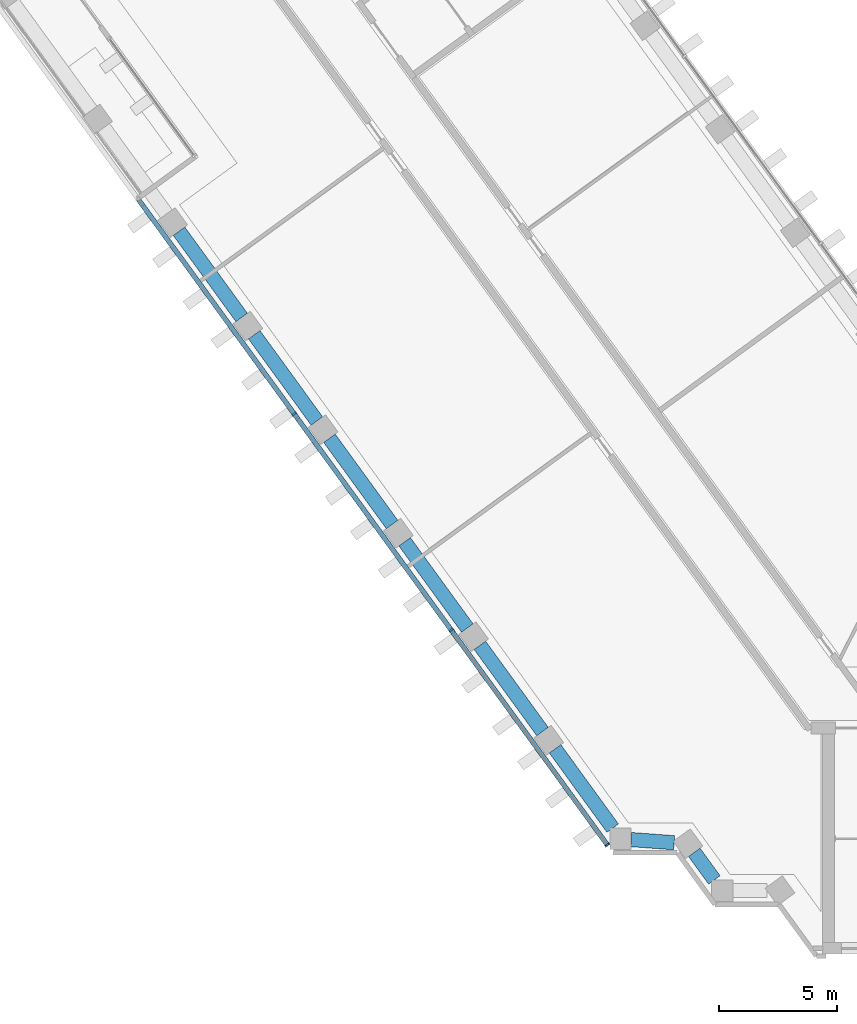
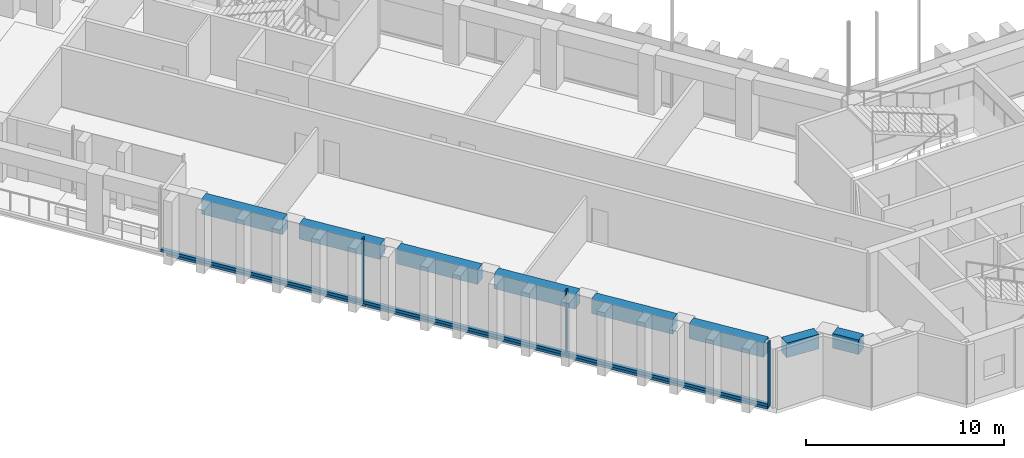
"""IFC4 building model written with IfcOpenShell, lengths in metres."""

from ifc_helpers import new_model, si_unit, direction, frame, origin, origin_2d, place, context, subcontext, project, spatial, rectangle, extrude, material, material_profile, profile_set, type_object, element, aggregate, save


model = new_model("IFC4")

# Units and contexts
model_context = context("Model", 3, precision=1e-05, world=origin(), true_north=direction((0.0, 1.0)))
body_context = subcontext(model_context, "Body", "Model", "MODEL_VIEW")
ifc_project = project(units=[si_unit("LENGTHUNIT", "METRE"), si_unit("AREAUNIT", "SQUARE_METRE"), si_unit("VOLUMEUNIT", "CUBIC_METRE"), si_unit("PLANEANGLEUNIT", "RADIAN"), si_unit("MASSUNIT", "GRAM", prefix="KILO")], contexts=[model_context])

# Site, building, storey
site_placement = place(None, origin())
site = spatial("IfcSite", under=ifc_project, at=site_placement, CompositionType="ELEMENT")
building_placement = place(site_placement, origin())
building = spatial("IfcBuilding", under=site, at=building_placement, Name="Quipu Civic Tower", CompositionType="ELEMENT")
storey_1_placement = place(building_placement, frame((0.0, 0.0, 35.0)))
storey_1 = spatial("IfcBuildingStorey", under=building, at=storey_1_placement, Name="L07", CompositionType="ELEMENT", Elevation=35.0)

# Curtain wall, members
ifc_material_1 = material(Name="Insulated glass unit", Category="glass")
curtain_wall_type = type_object("IfcCurtainWallType", Name="Office curtain wall CW1", PredefinedType="NOTDEFINED", material=ifc_material_1)
curtain_wall_1_placement = place(storey_1_placement, origin())
curtain_wall_1 = element("IfcCurtainWall", 1, at=curtain_wall_1_placement, inside=storey_1, type_object=curtain_wall_type, Name="Office curtain wall CW1 L07 run 7", PredefinedType="NOTDEFINED")
ifc_material_2 = material(Name="Anodised aluminium", Category="aluminium")
ifc_material_profile_1 = material_profile(ifc_material_2, rectangle(XDim=0.199951171875, YDim=0.080078125, at=origin_2d()), Name="RECT 200x80")
ifc_profile_set_1 = profile_set([ifc_material_profile_1], Name="Anodised aluminium")
member_type_1 = type_object("IfcMemberType", Name="Mullion CW1", PredefinedType="MULLION", material=ifc_profile_set_1)
member_1_placement = place(storey_1_placement, frame((-42.289306640625, 11.794189453125, 0.080078125), z_axis=(0.0, 0.0, 1.0), x_axis=(0.809016802453, 0.58778551645, 0.0)))
member_1 = element("IfcMember", 2, at=member_1_placement, type_object=member_type_1, Name="CW1 mullion 2", PredefinedType="MULLION", context=body_context, shape_type="SweptSolid", body=[
    extrude(rectangle(XDim=0.199951171875, YDim=0.080078125, at=origin_2d()), origin(), (0.0, 0.0, 1.0), 4.0),
])
member_2_placement = place(storey_1_placement, frame((-35.672607421875, 2.68701171875, 0.080078125), z_axis=(0.0, 0.0, 1.0), x_axis=(0.809016802453, 0.58778551645, 0.0)))
member_2 = element("IfcMember", 3, at=member_2_placement, type_object=member_type_1, Name="CW1 mullion 3", PredefinedType="MULLION", context=body_context, shape_type="SweptSolid", body=[
    extrude(rectangle(XDim=0.199951171875, YDim=0.080078125, at=origin_2d()), origin(), (0.0, 0.0, 1.0), 4.0),
])
member_3_placement = place(storey_1_placement, frame((-29.079345703125, -6.3876953125, 0.080078125), z_axis=(0.0, 0.0, 1.0), x_axis=(0.809016802453, 0.58778551645, 0.0)))
member_3 = element("IfcMember", 4, at=member_3_placement, type_object=member_type_1, Name="CW1 mullion 4", PredefinedType="MULLION", context=body_context, shape_type="SweptSolid", body=[
    extrude(rectangle(XDim=0.199951171875, YDim=0.080078125, at=origin_2d()), origin(), (0.0, 0.0, 1.0), 4.0),
])

# Beams
ifc_material_3 = material(Name="Concrete C50/60", Category="concrete")
ifc_material_profile_2 = material_profile(ifc_material_3, rectangle(XDim=0.60009765625, YDim=0.89990234375, at=origin_2d()), Name="RC600x900")
ifc_profile_set_2 = profile_set([ifc_material_profile_2], Name="Concrete C50/60")
beam_type = type_object("IfcBeamType", Name="Spandrel beam RC 600x900 C50/60", PredefinedType="SPANDREL", material=ifc_profile_set_2)
beam_1_placement = place(storey_1_placement, frame((-47.15380859375, 19.5107421875, 3.199951171875), z_axis=(0.587803872688, -0.809003465539, 0.0), x_axis=(0.809003465539, 0.587803872688, 0.0)))
element("IfcBeam", 5, at=beam_1_placement, inside=storey_1, type_object=beam_type, Name="Spandrel beam L07 W-OUT-06 to W-OUT-05", PredefinedType="SPANDREL", context=body_context, shape_type="SweptSolid", body=[
    extrude(rectangle(XDim=0.60009765625, YDim=0.89990234375, at=origin_2d()), origin(), (0.0, 0.0, 1.0), 4.499755859375),
])
for number, where, z_axis, x_axis, name in (
    (6, (-43.97998046875, 15.14208984375, 3.199951171875), (0.587778073121, -0.809022210299, 0.0), (0.809022210299, 0.587778073121, 0.0), "Spandrel beam L07 W-OUT-05 to W-OUT-04"),
    (7, (-40.805908203125, 10.7734375, 3.199951171875), (0.587778073121, -0.809022210299, 0.0), (0.809022210299, 0.587778073121, 0.0), "Spandrel beam L07 W-OUT-04 to W-OUT-03"),
):
    element("IfcBeam", number, at=place(storey_1_placement, frame(where, z_axis=z_axis, x_axis=x_axis)), inside=storey_1, type_object=beam_type, Name=name, PredefinedType="SPANDREL", context=body_context, shape_type="SweptSolid", body=[
        extrude(rectangle(XDim=0.60009765625, YDim=0.89990234375, at=origin_2d()), origin(), (0.0, 0.0, 1.0), 4.5),
    ])
beam_2_placement = place(storey_1_placement, frame((-37.6318359375, 6.404541015625, 3.199951171875), z_axis=(0.587803872688, -0.809003465539, 0.0), x_axis=(0.809003465539, 0.587803872688, 0.0)))
element("IfcBeam", 8, at=beam_2_placement, inside=storey_1, type_object=beam_type, Name="Spandrel beam L07 W-OUT-03 to W-OUT-02", PredefinedType="SPANDREL", context=body_context, shape_type="SweptSolid", body=[
    extrude(rectangle(XDim=0.60009765625, YDim=0.89990234375, at=origin_2d()), origin(), (0.0, 0.0, 1.0), 4.499755859375),
])
beam_3_placement = place(storey_1_placement, frame((-34.457763671875, 2.035888671875, 3.199951171875), z_axis=(0.587778073121, -0.809022210299, 0.0), x_axis=(0.809022210299, 0.587778073121, 0.0)))
element("IfcBeam", 9, at=beam_3_placement, inside=storey_1, type_object=beam_type, Name="Spandrel beam L07 W-OUT-02 to W-OUT-01", PredefinedType="SPANDREL", context=body_context, shape_type="SweptSolid", body=[
    extrude(rectangle(XDim=0.60009765625, YDim=0.89990234375, at=origin_2d()), origin(), (0.0, 0.0, 1.0), 4.5),
])
beam_4_placement = place(storey_1_placement, frame((-31.28369140625, -2.332763671875, 3.199951171875), z_axis=(0.587750565781, -0.809042194464, 0.0), x_axis=(0.809042194464, 0.587750565781, 0.0)))
element("IfcBeam", 10, at=beam_4_placement, inside=storey_1, type_object=beam_type, Name="Spandrel beam L07 W-OUT-01 to J-Wo.0", PredefinedType="SPANDREL", context=body_context, shape_type="SweptSolid", body=[
    extrude(rectangle(XDim=0.60009765625, YDim=0.89990234375, at=origin_2d()), origin(), (0.0, 0.0, 1.0), 4.13720703125),
])
beam_5_placement = place(storey_1_placement, frame((-28.074951171875, -6.16259765625, 3.199951171875), z_axis=(0.997367229877, -0.072516265536, 0.0), x_axis=(0.072516265536, 0.997367229877, 0.0)))
element("IfcBeam", 11, at=beam_5_placement, inside=storey_1, type_object=beam_type, Name="Spandrel beam L07 J-Wo.0 to J-Wo.1", PredefinedType="SPANDREL", context=body_context, shape_type="SweptSolid", body=[
    extrude(rectangle(XDim=0.60009765625, YDim=0.89990234375, at=origin_2d()), origin(), (0.0, 0.0, 1.0), 1.818115234375),
])
beam_6_placement = place(storey_1_placement, frame((-25.40966796875, -6.700927734375, 3.199951171875), z_axis=(0.588433824377, -0.808545381738, 0.0), x_axis=(0.808545381738, 0.588433824377, 0.0)))
element("IfcBeam", 12, at=beam_6_placement, inside=storey_1, type_object=beam_type, Name="Spandrel beam L07 J-Wo.1 to J-Wo.2", PredefinedType="SPANDREL", context=body_context, shape_type="SweptSolid", body=[
    extrude(rectangle(XDim=0.60009765625, YDim=0.89990234375, at=origin_2d()), origin(), (0.0, 0.0, 1.0), 1.439697265625),
])

# Storey
storey_2_placement = place(building_placement, frame((0.0, 0.0, 31.0)))
storey_2 = spatial("IfcBuildingStorey", under=building, at=storey_2_placement, Name="L06", CompositionType="ELEMENT", Elevation=31.0)

# Curtain wall, members
curtain_wall_2_placement = place(storey_2_placement, origin())
curtain_wall_2 = element("IfcCurtainWall", 13, at=curtain_wall_2_placement, inside=storey_2, type_object=curtain_wall_type, Name="Office curtain wall CW1 L06 run 4", PredefinedType="NOTDEFINED")
ifc_material_4 = material(Name="Anodised aluminium", Category="aluminium")
ifc_material_profile_3 = material_profile(ifc_material_4, rectangle(XDim=0.199951171875, YDim=0.159912109375, at=origin_2d()), Name="RECT 200x160")
ifc_profile_set_3 = profile_set([ifc_material_profile_3], Name="Anodised aluminium")
member_type_2 = type_object("IfcMemberType", Name="Transom CW1", PredefinedType="USERDEFINED", material=ifc_profile_set_3)
member_4_placement = place(storey_1_placement, frame((-48.68115234375, 20.591552734375, 0.0), z_axis=(0.587795037589, -0.80900988485, 0.0), x_axis=(0.80900988485, 0.587795037589, 0.0)))
member_4 = element("IfcMember", 14, at=member_4_placement, inside=storey_1, type_object=member_type_2, Name="CW1 transom 2.2", ObjectType="TRANSOM", PredefinedType="USERDEFINED", context=body_context, shape_type="SweptSolid", body=[
    extrude(rectangle(XDim=0.199951171875, YDim=0.159912109375, at=origin_2d()), origin(), (0.0, 0.0, 1.0), 11.062744140625),
])
member_5_placement = place(storey_1_placement, frame((-42.131591796875, 11.576904296875, 0.0), z_axis=(0.587795037589, -0.80900988485, 0.0), x_axis=(0.80900988485, 0.587795037589, 0.0)))
member_5 = element("IfcMember", 15, at=member_5_placement, inside=storey_1, type_object=member_type_2, Name="CW1 transom 3.2", ObjectType="TRANSOM", PredefinedType="USERDEFINED", context=body_context, shape_type="SweptSolid", body=[
    extrude(rectangle(XDim=0.199951171875, YDim=0.159912109375, at=origin_2d()), origin(), (0.0, 0.0, 1.0), 11.062744140625),
])
member_6_placement = place(storey_1_placement, frame((-35.58203125, 2.562255859375, 0.0), z_axis=(0.587779179422, -0.809021406539, 0.0), x_axis=(0.809021406539, 0.587779179422, 0.0)))
member_6 = element("IfcMember", 16, at=member_6_placement, inside=storey_1, type_object=member_type_2, Name="CW1 transom 4.2", ObjectType="TRANSOM", PredefinedType="USERDEFINED", context=body_context, shape_type="SweptSolid", body=[
    extrude(rectangle(XDim=0.199951171875, YDim=0.159912109375, at=origin_2d()), origin(), (0.0, 0.0, 1.0), 11.02294921875),
])
aggregate(curtain_wall_2, [member_4, member_5, member_6])

# Member
member_7_placement = place(storey_1_placement, frame((-48.85888671875, 20.83642578125, 0.159912109375), z_axis=(0.587784506259, -0.8090175364, 0.0), x_axis=(0.8090175364, 0.587784506259, 0.0)))
member_7 = element("IfcMember", 17, at=member_7_placement, type_object=member_type_2, Name="CW1 transom 1.1", ObjectType="TRANSOM", PredefinedType="USERDEFINED", context=body_context, shape_type="SweptSolid", body=[
    extrude(rectangle(XDim=0.199951171875, YDim=0.159912109375, at=origin_2d()), origin(), (0.0, 0.0, 1.0), 11.136962890625),
])

member_8_placement = place(storey_1_placement, frame((-42.265869140625, 11.76171875, 0.159912109375), z_axis=(0.587800183372, -0.8090061461, 0.0), x_axis=(0.8090061461, 0.587800183372, 0.0)))
member_8 = element("IfcMember", 18, at=member_8_placement, type_object=member_type_2, Name="CW1 transom 2.1", ObjectType="TRANSOM", PredefinedType="USERDEFINED", context=body_context, shape_type="SweptSolid", body=[
    extrude(rectangle(XDim=0.199951171875, YDim=0.159912109375, at=origin_2d()), origin(), (0.0, 0.0, 1.0), 11.177001953125),
])

member_9_placement = place(storey_1_placement, frame((-35.649169921875, 2.654541015625, 0.159912109375), z_axis=(0.587784506259, -0.8090175364, 0.0), x_axis=(0.8090175364, 0.587784506259, 0.0)))
member_9 = element("IfcMember", 19, at=member_9_placement, type_object=member_type_2, Name="CW1 transom 3.1", ObjectType="TRANSOM", PredefinedType="USERDEFINED", context=body_context, shape_type="SweptSolid", body=[
    extrude(rectangle(XDim=0.199951171875, YDim=0.159912109375, at=origin_2d()), origin(), (0.0, 0.0, 1.0), 11.136962890625),
])

aggregate(curtain_wall_1, [member_1, member_2, member_3, member_7, member_8, member_9])

save(model, "model.ifc")
